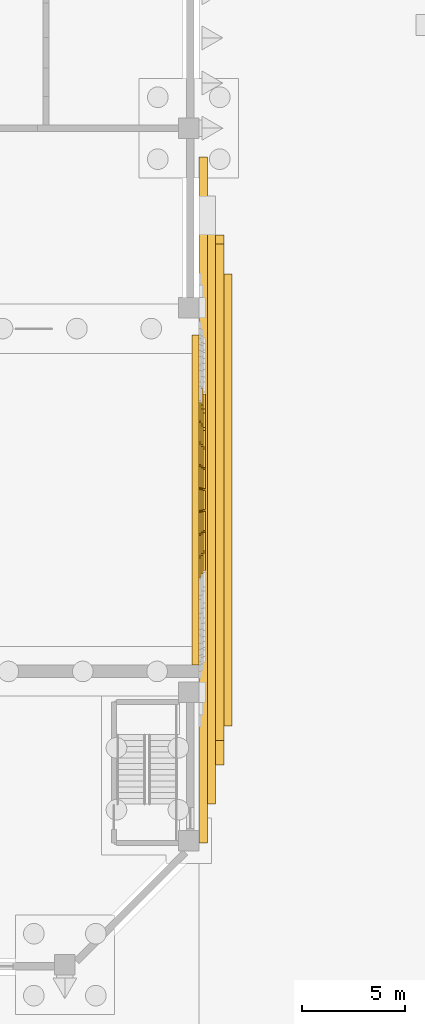
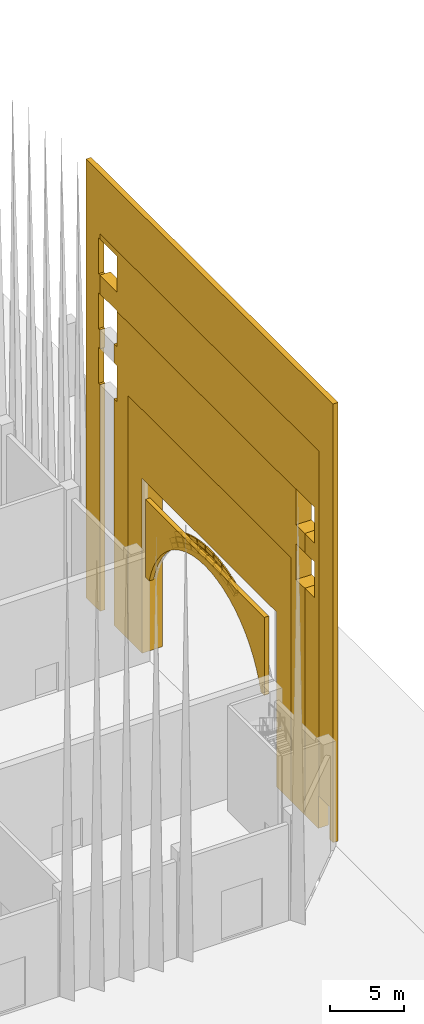
# One storey, part 25 of 32: 31 coverings.
"""IFC4 building model written with IfcOpenShell, lengths in metres."""

from ifc_helpers import new_model, si_unit, direction, frame, origin, place, context, subcontext, project, spatial, polyline, outline, extrude, material, layer, layer_set, type_object, element, save


model = new_model("IFC4")

# Units and contexts
model_context = context("Model", 3, precision=1e-05, world=origin(), true_north=direction((0.0, 1.0)))
body_context = subcontext(model_context, "Body", "Model", "MODEL_VIEW")
ifc_project = project(units=[si_unit("LENGTHUNIT", "METRE"), si_unit("AREAUNIT", "SQUARE_METRE"), si_unit("VOLUMEUNIT", "CUBIC_METRE"), si_unit("PLANEANGLEUNIT", "RADIAN"), si_unit("MASSUNIT", "GRAM", prefix="KILO")], contexts=[model_context])

# Site, building, storey
site_placement = place(None, origin())
site = spatial("IfcSite", under=ifc_project, at=site_placement, CompositionType="ELEMENT")
building_placement = place(site_placement, origin())
building = spatial("IfcBuilding", under=site, at=building_placement, Name="Isthmus Gate Tower", CompositionType="ELEMENT")
storey_placement = place(building_placement, origin())
storey = spatial("IfcBuildingStorey", under=building, at=storey_placement, Name="L00", CompositionType="ELEMENT", Elevation=0.0)

# Coverings
ifc_material_1 = material(Name="Precast concrete C50/60, limestone-faced", Category="masonry")
covering_type_1 = type_object("IfcCoveringType", Name="ARCHIVOLT BAND 350 X 100", PredefinedType="CLADDING", material=ifc_material_1)
covering_1_placement = place(storey_placement, frame((52.10009765625, -21.5966796875, 12.82861328125), z_axis=(1.0, 0.0, 0.0), x_axis=(0.0, 0.913522808966, 0.406787509025)))
element("IfcCovering", 1, at=covering_1_placement, inside=storey, type_object=covering_type_1, Name="ARCHIVOLT BAND", PredefinedType="CLADDING", context=body_context, shape_type="SweptSolid", body=[
    extrude(outline(polyline([(0.0, 0.0), (0.2442681551680057, -1.3877787807814457e-17), (0.488184443357252, -0.006791862334806387), (0.7320956072701085, -0.020797241747343154), (0.9751095347884446, -0.04161888481082776), (1.0099123999614859, 0.306613273896205), (0.7568099922976359, 0.32818574545736157), (0.5032564042983307, 0.34274332665417884), (0.24915232260687492, 0.35006298945712444), (-0.0047338553314379694, 0.35006982182564406), (0.0, 0.0)])), origin(), (0.0, 0.0, -1.0), 0.10009765625),
])
covering_2_placement = place(storey_placement, frame((52.10009765625, -20.595703125, 13.217529296875), z_axis=(1.0, 0.0, 0.0), x_axis=(0.0, 0.957301597512, 0.289091078037)))
element("IfcCovering", 2, at=covering_2_placement, inside=storey, type_object=covering_type_1, Name="ARCHIVOLT BAND", PredefinedType="CLADDING", context=body_context, shape_type="SweptSolid", body=[
    extrude(outline(polyline([(0.0, 0.0), (0.24406370858688134, 0.0), (0.48809151719161165, -0.006874968690704447), (0.731779130727387, -0.02078804340596971), (0.9748928329838772, -0.041668645269321986), (1.0096916381313736, 0.30664983257196915), (0.756594077573413, 0.32825014360130156), (0.5028520268596937, 0.34264921127221676), (0.2490034972873495, 0.3499395940420974), (-0.005022090020093281, 0.34988757570061324), (0.0, 0.0)])), origin(), (0.0, 0.0, -1.0), 0.10009765625),
])
covering_3_placement = place(storey_placement, frame((52.10009765625, -19.553955078125, 13.47802734375), z_axis=(1.0, 0.0, 0.0), x_axis=(0.0, 0.985958097671, 0.166992902952)))
element("IfcCovering", 3, at=covering_3_placement, inside=storey, type_object=covering_type_1, Name="ARCHIVOLT BAND", PredefinedType="CLADDING", context=body_context, shape_type="SweptSolid", body=[
    extrude(outline(polyline([(0.0, 0.0), (0.24415100075608237, 0.0), (0.4881232981693954, -0.006903026940089069), (0.7316761798137499, -0.020668311068569853), (0.9750095883636376, -0.041577334563328974), (1.0097612852760276, 0.3068775829798604), (0.7566363006717796, 0.32845454683775727), (0.5027696483689889, 0.3427285984065813), (0.24892423539792072, 0.3498181408574296), (-0.005140650667614086, 0.3497639439419996), (0.0, 0.0)])), origin(), (0.0, 0.0, -1.0), 0.10009765625),
])
covering_4_placement = place(storey_placement, frame((52.10009765625, -18.488037109375, 13.606201171875), z_axis=(1.0, 0.0, 0.0), x_axis=(0.0, 0.999117403193, 0.04200493587)))
element("IfcCovering", 4, at=covering_4_placement, inside=storey, type_object=covering_type_1, Name="ARCHIVOLT BAND", PredefinedType="CLADDING", context=body_context, shape_type="SweptSolid", body=[
    extrude(outline(polyline([(0.0, 0.0), (0.24411193679103121, 0.0), (0.488190910724324, -0.006596234087420251), (0.7319622313187255, -0.02051022259275592), (0.975212738760861, -0.04099993496291908), (1.0096457399543495, 0.3072262867566396), (0.7566587368442529, 0.32861405387318554), (0.5028864852120337, 0.34294850194167276), (0.2488065802409231, 0.3499651955922445), (-0.005082872663254759, 0.34988754974957187), (0.0, 0.0)])), origin(), (0.0, 0.0, -1.0), 0.10009765625),
])
covering_5_placement = place(storey_placement, frame((52.10009765625, -17.414306640625, 13.599853515625), z_axis=(1.0, 0.0, 0.0), x_axis=(0.0, 0.996634800256, -0.081969963512)))
element("IfcCovering", 5, at=covering_5_placement, inside=storey, type_object=covering_type_1, Name="ARCHIVOLT BAND", PredefinedType="CLADDING", context=body_context, shape_type="SweptSolid", body=[
    extrude(outline(polyline([(0.0, 0.0), (0.24423008614831013, -3.469446951953614e-18), (0.48806724987006017, -0.007136301040400125), (0.7317347980101585, -0.021145571880046107), (0.9749894115255737, -0.042047824717060894), (1.010055175558499, 0.30599187842603726), (0.7569277149349704, 0.32779687663935386), (0.5034073318848815, 0.3424655738122702), (0.24925070736520116, 0.3499779577466636), (-0.004792189296853624, 0.3501507459938714), (0.0, 0.0)])), origin(), (0.0, 0.0, -1.0), 0.10009765625),
])
covering_6_placement = place(storey_placement, frame((52.10009765625, -16.349609375, 13.45947265625), z_axis=(1.0, 0.0, 0.0), x_axis=(0.0, 0.978528548163, -0.206111330186)))
element("IfcCovering", 6, at=covering_6_placement, inside=storey, type_object=covering_type_1, Name="ARCHIVOLT BAND", PredefinedType="CLADDING", context=body_context, shape_type="SweptSolid", body=[
    extrude(outline(polyline([(0.0, 0.0), (0.24400875344756223, -6.938893903907228e-18), (0.4879930796383424, -0.006991080891031551), (0.7317140800010117, -0.021023562822065717), (0.9748825358152703, -0.04190886737074487), (1.009827192277444, 0.3062655257177805), (0.756737850393711, 0.3280551273125322), (0.5031966042595095, 0.34251410914698155), (0.24915313372586845, 0.34988136979245715), (-0.004864443915583577, 0.3500186509755724), (0.0, 0.0)])), origin(), (0.0, 0.0, -1.0), 0.10009765625),
])
covering_7_placement = place(storey_placement, frame((52.10009765625, -15.31103515625, 13.187255859375), z_axis=(1.0, 0.0, 0.0), x_axis=(0.0, 0.944914647597, -0.327316832377)))
element("IfcCovering", 7, at=covering_7_placement, inside=storey, type_object=covering_type_1, Name="ARCHIVOLT BAND", PredefinedType="CLADDING", context=body_context, shape_type="SweptSolid", body=[
    extrude(outline(polyline([(0.0, 0.0), (0.2439043045699486, 0.0), (0.48812067879160903, -0.006867976109405538), (0.7317263544544379, -0.020923573672334966), (0.9751028043276773, -0.04177627796409322), (1.0097041684513157, 0.30661148752160894), (0.756744223306711, 0.32827845655847604), (0.5029428875506389, 0.34267789280578964), (0.2490721486770365, 0.34981883821900267), (-0.004947904650125748, 0.349931984850751), (0.0, 0.0)])), origin(), (0.0, 0.0, -1.0), 0.10009765625),
])
covering_8_placement = place(storey_placement, frame((52.10009765625, -14.314697265625, 12.787109375), z_axis=(1.0, 0.0, 0.0), x_axis=(0.0, 0.896419173969, -0.443207247844)))
element("IfcCovering", 8, at=covering_8_placement, inside=storey, type_object=covering_type_1, Name="ARCHIVOLT BAND", PredefinedType="CLADDING", context=body_context, shape_type="SweptSolid", body=[
    extrude(outline(polyline([(0.0, 0.0), (0.24402646256610294, 0.0), (0.4881318194457979, -0.006769767168784913), (0.7318783659642956, -0.02052571129534103), (0.9750472497842012, -0.04137603727416145), (1.0097978745005156, 0.30698412481256665), (0.7564780037500453, 0.3285349736749228), (0.5029075275328706, 0.34288079324211307), (0.24886759351159715, 0.34991337861964433), (-0.005204093638985857, 0.34984913959650277), (0.0, 0.0)])), origin(), (0.0, 0.0, -1.0), 0.10009765625),
])
ifc_material_2 = material(Name="Precast concrete C50/60, limestone-faced", Category="masonry")
covering_type_2 = type_object("IfcCoveringType", Name="ARCHIVOLT BAND 350 X 200", PredefinedType="CLADDING", material=ifc_material_2)
covering_9_placement = place(storey_placement, frame((52.199951171875, -21.430908203125, 12.4755859375), z_axis=(1.0, 0.0, 0.0), x_axis=(0.0, 0.913724708918, 0.406333799127)))
element("IfcCovering", 9, at=covering_9_placement, inside=storey, type_object=covering_type_2, Name="ARCHIVOLT BAND", PredefinedType="CLADDING", context=body_context, shape_type="SweptSolid", body=[
    extrude(outline(polyline([(0.0, 0.0), (0.23192331391692386, 0.0), (0.46369653894471907, -0.006345881593090463), (0.6953443472295437, -0.019583002009975148), (0.926296709394536, -0.03919067616610844), (0.960926636542704, 0.30905872286815483), (0.7199846251988917, 0.3296352927640399), (0.47859491720291825, 0.3431967491022951), (0.23685671514246104, 0.3499661692044336), (-0.004907701073289139, 0.3500674278042909), (0.0, 0.0)])), origin(), (0.0, 0.0, -1.0), 0.199951171875),
])
covering_10_placement = place(storey_placement, frame((52.199951171875, -20.475341796875, 12.846435546875), z_axis=(1.0, 0.0, 0.0), x_axis=(0.0, 0.957448593052, 0.288603866333)))
element("IfcCovering", 10, at=covering_10_placement, inside=storey, type_object=covering_type_2, Name="ARCHIVOLT BAND", PredefinedType="CLADDING", context=body_context, shape_type="SweptSolid", body=[
    extrude(outline(polyline([(0.0, 0.0), (0.23178667735832395, 0.0), (0.46368187329235677, -0.00640748187425999), (0.6951476236779682, -0.019315277864085434), (0.9261134685868546, -0.03895714006738943), (0.9607350086863498, 0.30937900190829826), (0.719784940506202, 0.3297354923625382), (0.47833496684932925, 0.3433579166032994), (0.2366188398136444, 0.35017581470227827), (-0.00520014843124314, 0.34988497463325763), (0.0, 0.0)])), origin(), (0.0, 0.0, -1.0), 0.199951171875),
])
covering_11_placement = place(storey_placement, frame((52.199951171875, -19.481201171875, 13.0947265625), z_axis=(1.0, 0.0, 0.0), x_axis=(0.0, 0.985906218224, 0.167298920702)))
element("IfcCovering", 11, at=covering_11_placement, inside=storey, type_object=covering_type_2, Name="ARCHIVOLT BAND", PredefinedType="CLADDING", context=body_context, shape_type="SweptSolid", body=[
    extrude(outline(polyline([(0.0, 0.0), (0.23202994503591898, 0.0), (0.4636791888500907, -0.006621426917515466), (0.6951884312028236, -0.019905125215608374), (0.9263578167968711, -0.03956955067090823), (0.9611768224652338, 0.3086338639503239), (0.7202569130696602, 0.32920996864717644), (0.4786747582289689, 0.342964791129267), (0.23695260192683879, 0.3500573422307801), (-0.004750545002545521, 0.34996537796803684), (0.0, 0.0)])), origin(), (0.0, 0.0, -1.0), 0.199951171875),
])
covering_12_placement = place(storey_placement, frame((52.199951171875, -18.463623046875, 13.216796875), z_axis=(1.0, 0.0, 0.0), x_axis=(0.0, 0.999068038774, 0.043163108103)))
element("IfcCovering", 12, at=covering_12_placement, inside=storey, type_object=covering_type_2, Name="ARCHIVOLT BAND", PredefinedType="CLADDING", context=body_context, shape_type="SweptSolid", body=[
    extrude(outline(polyline([(0.0, 0.0), (0.23190558013387474, -1.734723475976807e-18), (0.46376001305385556, -0.006840104539492985), (0.6953404614009172, -0.02002194955948234), (0.9263819363432774, -0.040022823382586274), (0.9612291243179139, 0.3084071619121962), (0.7201977503321908, 0.3290840014264611), (0.4788713160371701, 0.3429312742694222), (0.23724982143285184, 0.3499489804410795), (-0.004666733480764067, 0.3501371199414331), (0.0, 0.0)])), origin(), (0.0, 0.0, -1.0), 0.199951171875),
])
covering_13_placement = place(storey_placement, frame((52.199951171875, -17.438720703125, 13.210693359375), z_axis=(1.0, 0.0, 0.0), x_axis=(0.0, 0.996538497122, -0.083132567342)))
element("IfcCovering", 13, at=covering_13_placement, inside=storey, type_object=covering_type_2, Name="ARCHIVOLT BAND", PredefinedType="CLADDING", context=body_context, shape_type="SweptSolid", body=[
    extrude(outline(polyline([(0.0, 0.0), (0.23200425527221805, -3.469446951953614e-18), (0.4638063209105296, -0.006386571930471256), (0.6951831974203594, -0.019423307359886503), (0.9263781803332313, -0.039089910251297044), (0.9607743109003211, 0.309213462767317), (0.7199487299993705, 0.3297915889383974), (0.47849525651231145, 0.343212664510537), (0.2366165938967705, 0.34998357658373264), (-0.005180370747255414, 0.34990162170035755), (0.0, 0.0)])), origin(), (0.0, 0.0, -1.0), 0.199951171875),
])
covering_14_placement = place(storey_placement, frame((52.199951171875, -16.422607421875, 13.076416015625), z_axis=(1.0, 0.0, 0.0), x_axis=(0.0, 0.978460293135, -0.206435110285)))
element("IfcCovering", 14, at=covering_14_placement, inside=storey, type_object=covering_type_2, Name="ARCHIVOLT BAND", PredefinedType="CLADDING", context=body_context, shape_type="SweptSolid", body=[
    extrude(outline(polyline([(0.0, 0.0), (0.23179953465287484, 0.0), (0.4635265561755924, -0.006752206683679679), (0.695130665371306, -0.020017738143535413), (0.9260836992281615, -0.039658510865757196), (0.960913144191961, 0.30852742621576246), (0.7199885263834542, 0.3293080950585049), (0.47856403082662974, 0.34299687691637026), (0.23682814023214438, 0.3498830528937092), (-0.004980263492498124, 0.3500170221873684), (0.0, 0.0)])), origin(), (0.0, 0.0, -1.0), 0.199951171875),
])
covering_15_placement = place(storey_placement, frame((52.199951171875, -15.431396484375, 12.816162109375), z_axis=(1.0, 0.0, 0.0), x_axis=(0.0, 0.944823158782, -0.327580827627)))
element("IfcCovering", 15, at=covering_15_placement, inside=storey, type_object=covering_type_2, Name="ARCHIVOLT BAND", PredefinedType="CLADDING", context=body_context, shape_type="SweptSolid", body=[
    extrude(outline(polyline([(0.0, 0.0), (0.23178320576651543, 0.0), (0.4637204485009052, -0.006406549216448121), (0.6951996948416653, -0.0196902447298285), (0.9262916629293058, -0.039309771319147147), (0.9607956865762745, 0.3090876481482), (0.7198893263702322, 0.32943878604570287), (0.47844499398256546, 0.34314344736277314), (0.23677333491776886, 0.35005093817090593), (-0.005045675036163003, 0.3499305887536018), (0.0, 0.0)])), origin(), (0.0, 0.0, -1.0), 0.199951171875),
])
covering_16_placement = place(storey_placement, frame((52.199951171875, -14.48046875, 12.43408203125), z_axis=(1.0, 0.0, 0.0), x_axis=(0.0, 0.896521798737, -0.442999621207)))
element("IfcCovering", 16, at=covering_16_placement, inside=storey, type_object=covering_type_2, Name="ARCHIVOLT BAND", PredefinedType="CLADDING", context=body_context, shape_type="SweptSolid", body=[
    extrude(outline(polyline([(0.0, 0.0), (0.23201645826464593, -1.3877787807814457e-17), (0.4637832113352939, -0.006659062071625171), (0.6951921050075478, -0.019758308822605708), (0.9263512934858038, -0.039516617645211305), (0.9609637216727641, 0.30872733249154893), (0.7200914635650156, 0.3294048236023485), (0.47863989968312587, 0.3429880668404608), (0.2369386306072383, 0.34991224800694787), (-0.004904189458250968, 0.34995848970954), (0.0, 0.0)])), origin(), (0.0, 0.0, -1.0), 0.199951171875),
])
covering_17_placement = place(storey_placement, frame((52.199951171875, -13.584716796875, 11.93603515625), z_axis=(1.0, 0.0, 0.0), x_axis=(0.0, 0.833989215264, -0.551780743432)))
element("IfcCovering", 17, at=covering_17_placement, inside=storey, type_object=covering_type_2, Name="ARCHIVOLT BAND", PredefinedType="CLADDING", context=body_context, shape_type="SweptSolid", body=[
    extrude(outline(polyline([(0.0, 0.0), (0.23184877149607305, 0.0), (0.4637417614662627, -0.006703726343399691), (0.695205935071182, -0.019838669829247924), (0.9262412923108309, -0.03940483045754467), (0.9610474014602479, 0.308855758338455), (0.7199939889916682, 0.32940500876339085), (0.47857757370068943, 0.3429811086537978), (0.23686705414000475, 0.34992238075349835), (-0.004868145499256654, 0.34982160376597676), (0.0, 0.0)])), origin(), (0.0, 0.0, -1.0), 0.199951171875),
])
ifc_material_3 = material(Name="Precast concrete C50/60, limestone-faced", Category="masonry")
covering_type_3 = type_object("IfcCoveringType", Name="ARCHIVOLT BAND 350 X 300", PredefinedType="CLADDING", material=ifc_material_3)
covering_18_placement = place(storey_placement, frame((52.300048828125, -21.26513671875, 12.12255859375), z_axis=(1.0, 0.0, 0.0), x_axis=(0.0, 0.913536363976, 0.406757067172)))
element("IfcCovering", 18, at=covering_18_placement, inside=storey, type_object=covering_type_3, Name="ARCHIVOLT BAND", PredefinedType="CLADDING", context=body_context, shape_type="SweptSolid", body=[
    extrude(outline(polyline([(0.0, 0.0), (0.21967772894844684, 0.0), (0.43920242909504725, -0.0063458113786945824), (0.6586734063644037, -0.01881440279722249), (0.8775452921541913, -0.03743019374524004), (0.9121135217117081, 0.31090243044062976), (0.6833761621007586, 0.3301694077794831), (0.4540397110102402, 0.3432891855888468), (0.22477326245673673, 0.3499638460949134), (-0.004745520823215665, 0.35006966388342425), (0.0, 0.0)])), origin(), (0.0, 0.0, -1.0), 0.300048828125),
])
covering_19_placement = place(storey_placement, frame((52.300048828125, -20.355224609375, 12.475341796875), z_axis=(1.0, 0.0, 0.0), x_axis=(0.0, 0.957304491214, 0.289081495605)))
element("IfcCovering", 19, at=covering_19_placement, inside=storey, type_object=covering_type_3, Name="ARCHIVOLT BAND", PredefinedType="CLADDING", context=body_context, shape_type="SweptSolid", body=[
    extrude(outline(polyline([(0.0, 0.0), (0.21958016498844735, 0.0), (0.4393362284229883, -0.006173818299311365), (0.6587301799330093, -0.018614018740708643), (0.8775283026017102, -0.03725002478717904), (0.912089904225137, 0.31113937790347657), (0.6833079160513065, 0.330494993179259), (0.4540932394159431, 0.3433505093961552), (0.2247501677728601, 0.34986906693395253), (-0.004955015794742779, 0.35012124232966396), (0.0, 0.0)])), origin(), (0.0, 0.0, -1.0), 0.300048828125),
])
covering_20_placement = place(storey_placement, frame((52.300048828125, -19.408203125, 12.711669921875), z_axis=(1.0, 0.0, 0.0), x_axis=(0.0, 0.986000573525, 0.166741923369)))
element("IfcCovering", 20, at=covering_20_placement, inside=storey, type_object=covering_type_3, Name="ARCHIVOLT BAND", PredefinedType="CLADDING", context=body_context, shape_type="SweptSolid", body=[
    extrude(outline(polyline([(0.0, 0.0), (0.21962739189986205, 0.0), (0.43919996305017883, -0.006180903816307509), (0.6587177134509503, -0.018542711448922514), (0.8774584747133645, -0.03696329746568969), (0.9118400405432898, 0.311300440462511), (0.6831075192016224, 0.330667905663256), (0.45403874583675385, 0.343654452728808), (0.2245930119712991, 0.35001935886289626), (-0.004948251121086045, 0.34996263838440633), (0.0, 0.0)])), origin(), (0.0, 0.0, -1.0), 0.300048828125),
])
covering_21_placement = place(storey_placement, frame((52.300048828125, -18.439208984375, 12.82763671875), z_axis=(1.0, 0.0, 0.0), x_axis=(0.0, 0.999107853184, 0.042231477665)))
element("IfcCovering", 21, at=covering_21_placement, inside=storey, type_object=covering_type_3, Name="ARCHIVOLT BAND", PredefinedType="CLADDING", context=body_context, shape_type="SweptSolid", body=[
    extrude(outline(polyline([(0.0, 0.0), (0.21967840726655669, -1.734723475976807e-18), (0.43934297686503593, -0.006108380812321438), (0.6587394755603669, -0.01855875483333125), (0.8776342909561831, -0.03709688882795879), (0.9121462491219028, 0.3111215164981205), (0.6832712191203203, 0.3305702233176115), (0.45411780779623795, 0.3434330141126953), (0.22469632556900737, 0.3499538116990908), (-0.00500353798072312, 0.3498886932610791), (0.0, 0.0)])), origin(), (0.0, 0.0, -1.0), 0.300048828125),
])
covering_22_placement = place(storey_placement, frame((52.300048828125, -17.463134765625, 12.821533203125), z_axis=(1.0, 0.0, 0.0), x_axis=(0.0, 0.996515009354, -0.083413644756)))
element("IfcCovering", 22, at=covering_22_placement, inside=storey, type_object=covering_type_3, Name="ARCHIVOLT BAND", PredefinedType="CLADDING", context=body_context, shape_type="SweptSolid", body=[
    extrude(outline(polyline([(0.0, 0.0), (0.21951500774858557, 0.0), (0.43929584218407325, -0.006102609589505557), (0.6586126339148461, -0.018368922746609596), (0.8774653829409043, -0.036798939471312145), (0.9117632707134875, 0.3115141213640108), (0.6830363771836531, 0.3308325802945804), (0.45386580560846834, 0.3437440458603459), (0.224515210444503, 0.35002559292346586), (-0.00503577296760712, 0.349920511281146), (0.0, 0.0)])), origin(), (0.0, 0.0, -1.0), 0.300048828125),
])
covering_23_placement = place(storey_placement, frame((52.300048828125, -16.49560546875, 12.693359375), z_axis=(1.0, 0.0, 0.0), x_axis=(0.0, 0.978384322494, -0.206794868163)))
element("IfcCovering", 23, at=covering_23_placement, inside=storey, type_object=covering_type_3, Name="ARCHIVOLT BAND", PredefinedType="CLADDING", context=body_context, shape_type="SweptSolid", body=[
    extrude(outline(polyline([(0.0, 0.0), (0.21959034406073485, 0.0), (0.43924854703055605, -0.006224019141395823), (0.6587357455494798, -0.018722544452547646), (0.8775237258691782, -0.03735768663019218), (0.9121746563337358, 0.3110798967759809), (0.6832767843027234, 0.33032305477903867), (0.45420790782081355, 0.34329170661234043), (0.2247291635280225, 0.34993536524752594), (-0.0048700981873058685, 0.35006565435297166), (0.0, 0.0)])), origin(), (0.0, 0.0, -1.0), 0.300048828125),
])
covering_24_placement = place(storey_placement, frame((52.300048828125, -15.5517578125, 12.4453125), z_axis=(1.0, 0.0, 0.0), x_axis=(0.0, 0.944721486737, -0.32787392775)))
element("IfcCovering", 24, at=covering_24_placement, inside=storey, type_object=covering_type_3, Name="ARCHIVOLT BAND", PredefinedType="CLADDING", context=body_context, shape_type="SweptSolid", body=[
    extrude(outline(polyline([(0.0, 0.0), (0.2196621270537962, 1.3877787807814457e-17), (0.43940023124921873, -0.0061758562264838945), (0.65867297545218, -0.018457018476513015), (0.8775604070083218, -0.037074131644310115), (0.9119563444103035, 0.3113339753646631), (0.6832542942376447, 0.33067965505126995), (0.45424697876380865, 0.34345873892588596), (0.22462370574893054, 0.34982182453709193), (-0.0049235901243212254, 0.350009053921814), (0.0, 0.0)])), origin(), (0.0, 0.0, -1.0), 0.300048828125),
])
covering_25_placement = place(storey_placement, frame((52.300048828125, -14.646240234375, 12.0810546875), z_axis=(1.0, 0.0, 0.0), x_axis=(0.0, 0.896417696325, -0.443210236473)))
element("IfcCovering", 25, at=covering_25_placement, inside=storey, type_object=covering_type_3, Name="ARCHIVOLT BAND", PredefinedType="CLADDING", context=body_context, shape_type="SweptSolid", body=[
    extrude(outline(polyline([(0.0, 0.0), (0.21978758918149888, 0.0), (0.4394376839984904, -0.006332062952432355), (0.6587338732026966, -0.018558484904013184), (0.8776737160657535, -0.037225175432165414), (0.9122043273840224, 0.3110268968859164), (0.6833323472315791, 0.330502282078686), (0.45421222636212544, 0.34331854671824236), (0.22462755352738356, 0.3499133947578693), (-0.004986408047726848, 0.34995732786842204), (0.0, 0.0)])), origin(), (0.0, 0.0, -1.0), 0.300048828125),
])
covering_26_placement = place(storey_placement, frame((52.300048828125, -13.79345703125, 11.6064453125), z_axis=(1.0, 0.0, 0.0), x_axis=(0.0, 0.833924690405, -0.551878257166)))
element("IfcCovering", 26, at=covering_26_placement, inside=storey, type_object=covering_type_3, Name="ARCHIVOLT BAND", PredefinedType="CLADDING", context=body_context, shape_type="SweptSolid", body=[
    extrude(outline(polyline([(0.0, 0.0), (0.21986350984028602, 0.0), (0.4393678143063616, -0.0060929364417953435), (0.6587823852034835, -0.018685999115622964), (0.8777030148237668, -0.03716840333612753), (0.9121300711832787, 0.3111651119143059), (0.6835296022486131, 0.33056057553129387), (0.4541627381495002, 0.34359363090122985), (0.22484087638406186, 0.349922965144015), (-0.00490904974807696, 0.3498210321472579), (0.0, 0.0)])), origin(), (0.0, 0.0, -1.0), 0.300048828125),
])
ifc_material_4 = material(Name="Aluminium composite panel, pale champagne anodised", Category="aluminium")
ifc_layer = layer(ifc_material_4, 0.35009765625)
ifc_layer_set = layer_set([ifc_layer], Name="PORTAL SPANDREL PANEL 350")
covering_type_4 = type_object("IfcCoveringType", Name="PORTAL SPANDREL PANEL 350", PredefinedType="CLADDING", material=ifc_layer_set)
covering_27_placement = place(storey_placement, frame((52.0, -25.5, 7.0), z_axis=(1.0, 0.0, 0.0), x_axis=(0.0, 0.304223225724, 0.952600771011)))
element("IfcCovering", 27, at=covering_27_placement, inside=storey, type_object=covering_type_4, Name="PORTAL SPANDREL PANEL", PredefinedType="CLADDING", context=body_context, shape_type="SweptSolid", body=[
    extrude(outline(polyline([(0.0, 0.0), (0.8498526740022047, 0.0), (1.69428473343635, -0.09296983798925201), (2.5237353386129913, -0.277862254150834), (3.327807146505125, -0.5526156924267095), (4.097126859129068, -0.9135601145299852), (4.822246905252671, -1.356792913626158), (5.494436916891027, -1.8766447053527264), (6.105589958453593, -2.4669907170541734), (6.648539117342471, -3.120637104189816), (7.1166666401056595, -3.8297020653783473), (7.504285047481596, -4.586006706244588), (7.8068051785005075, -5.3799962187321135), (8.020484124332386, -6.202358112134315), (8.142974387432886, -7.04333425625378), (8.172477629403552, -7.892478564052467), (8.108888016125466, -8.739829583191975), (7.953029987670144, -9.575128768340027), (7.706574236248871, -10.388359891514167), (7.372577116556386, -11.169833064132426), (6.954866962178722, -11.909868146415047), (6.458880588930772, -12.599809043625585), (5.8901290858758975, -13.231232229575218), (5.255890319605455, -13.796431381322357), (4.563348385857923, -14.289011565160408), (4.7154599987198536, -14.765311950665755), (10.81201190576925, -12.818313015332429), (5.944440294187466, 2.4232993208386735), (-0.15211161286193076, 0.4763003855053469), (0.0, 0.0)])), origin(), (0.0, 0.0, -1.0), 0.35009765625),
])
ifc_material_5 = material(Name="Precast concrete C50/60, limestone-faced", Category="masonry")
covering_type_5 = type_object("IfcCoveringType", Name="PORTAL SURROUND BAND 1887 X 1600", PredefinedType="CLADDING", material=ifc_material_5)
covering_28_placement = place(storey_placement, frame((53.60009765625, -28.9375, 0.0), z_axis=(1.0, 0.0, 0.0), x_axis=(0.0, 1.0, 0.0)))
element("IfcCovering", 28, at=covering_28_placement, inside=storey, type_object=covering_type_5, Name="PORTAL SURROUND BAND", PredefinedType="CLADDING", context=body_context, shape_type="SweptSolid", body=[
    extrude(outline(polyline([(0.0, 0.0), (1.887451171875, 0.0), (1.887451171875, 14.35009765625), (19.987548828125, 14.35009765625), (19.987548828125, 0.0), (21.875, 0.0), (21.875, 20.0), (0.0, 20.0), (0.0, 0.0)])), origin(), (0.0, 0.0, -1.0), 1.60009765625),
])
ifc_material_6 = material(Name="Precast concrete C50/60, limestone-faced", Category="masonry")
covering_type_6 = type_object("IfcCoveringType", Name="PORTAL SURROUND BAND 1887 X 400", PredefinedType="CLADDING", material=ifc_material_6)
covering_29_placement = place(storey_placement, frame((52.39990234375, -34.60009765625, 0.0), z_axis=(1.0, 0.0, 0.0), x_axis=(0.0, 1.0, 0.0)))
element("IfcCovering", 29, at=covering_29_placement, inside=storey, type_object=covering_type_6, Name="PORTAL SURROUND BAND", PredefinedType="CLADDING", context=body_context, shape_type="SweptSolid", body=[
    extrude(outline(polyline([(0.0, 0.0), (0.4501953125, 0.0), (0.4501953125, 2.699951171875), (1.8876953125, 2.699951171875), (1.8876953125, 31.0), (31.3125, 31.0), (31.3125, 30.550048828125), (31.5, 30.550048828125), (31.5, 27.60009765625), (31.3125, 27.60009765625), (31.3125, 26.050048828125), (31.5, 26.050048828125), (31.5, 23.10009765625), (31.3125, 23.10009765625), (31.3125, 21.550048828125), (31.5, 21.550048828125), (31.5, 18.60009765625), (31.3125, 18.60009765625), (31.3125, 0.0), (33.2001953125, 0.0), (33.2001953125, 36.0), (0.0, 36.0), (0.0, 0.0)])), origin(), (0.0, 0.0, -1.0), 0.39990234375),
])
ifc_material_7 = material(Name="Precast concrete C50/60, limestone-faced", Category="masonry")
covering_type_7 = type_object("IfcCoveringType", Name="PORTAL SURROUND BAND 1888 X 1200", PredefinedType="CLADDING", material=ifc_material_7)
covering_30_placement = place(storey_placement, frame((53.199951171875, -30.824951171875, 0.0), z_axis=(1.0, 0.0, 0.0), x_axis=(0.0, 1.0, 0.0)))
element("IfcCovering", 30, at=covering_30_placement, inside=storey, type_object=covering_type_7, Name="PORTAL SURROUND BAND", PredefinedType="CLADDING", context=body_context, shape_type="SweptSolid", body=[
    extrude(outline(polyline([(0.0, 0.0), (1.887451171875, 0.0), (1.887451171875, 20.0), (23.762451171875, 20.0), (23.762451171875, 0.0), (25.64990234375, 0.0), (25.64990234375, 18.60009765625), (25.224853515625, 18.60009765625), (25.224853515625, 21.550048828125), (25.64990234375, 21.550048828125), (25.64990234375, 23.10009765625), (25.224853515625, 23.10009765625), (25.224853515625, 26.0), (1.175048828125, 26.0), (1.175048828125, 23.10009765625), (0.0, 23.10009765625), (0.0, 21.550048828125), (1.175048828125, 21.550048828125), (1.175048828125, 18.60009765625), (0.0, 18.60009765625), (0.0, 0.0)])), origin(), (0.0, 0.0, -1.0), 1.199951171875),
])
ifc_material_8 = material(Name="Precast concrete C50/60, limestone-faced", Category="masonry")
covering_type_8 = type_object("IfcCoveringType", Name="PORTAL SURROUND BAND 1888 X 800", PredefinedType="CLADDING", material=ifc_material_8)
covering_31_placement = place(storey_placement, frame((52.800048828125, -32.71240234375, 2.699951171875), z_axis=(1.0, 0.0, 0.0), x_axis=(0.0, 1.0, 0.0)))
element("IfcCovering", 31, at=covering_31_placement, inside=storey, type_object=covering_type_8, Name="PORTAL SURROUND BAND", PredefinedType="CLADDING", context=body_context, shape_type="SweptSolid", body=[
    extrude(outline(polyline([(0.0, 0.0), (0.0625, 0.0), (0.0625, -2.699951171875), (1.887451171875, -2.699951171875), (1.887451171875, 15.900146484375), (0.5625, 15.900146484375), (0.5625, 18.85009765625), (1.887451171875, 18.85009765625), (1.887451171875, 20.400146484375), (0.5625, 20.400146484375), (0.5625, 23.35009765625), (3.0625, 23.35009765625), (3.0625, 23.300048828125), (27.1123046875, 23.300048828125), (27.1123046875, 23.35009765625), (29.4248046875, 23.35009765625), (29.4248046875, 24.900146484375), (27.1123046875, 24.900146484375), (27.1123046875, 27.85009765625), (29.4248046875, 27.85009765625), (29.4248046875, 28.300048828125), (0.0, 28.300048828125), (0.0, 0.0)])), origin(), (0.0, 0.0, -1.0), 0.800048828125),
])

save(model, "model.ifc")
